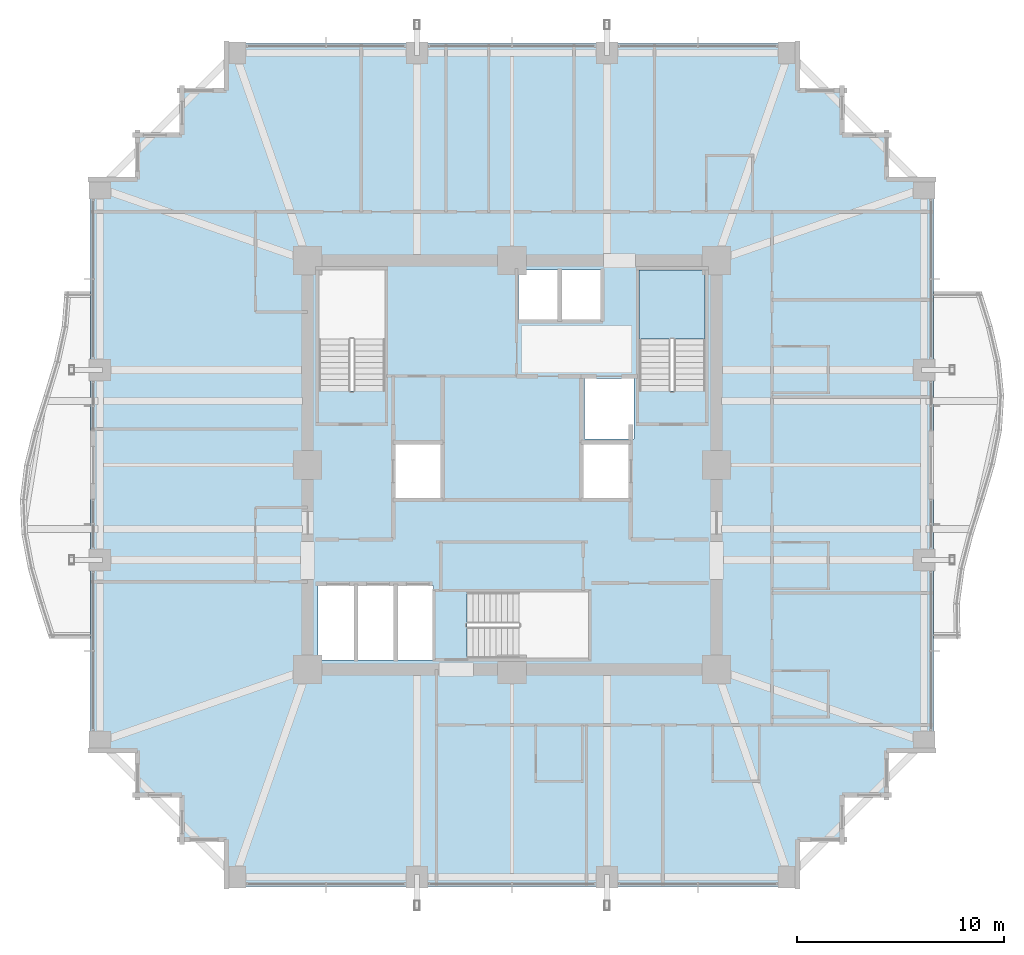
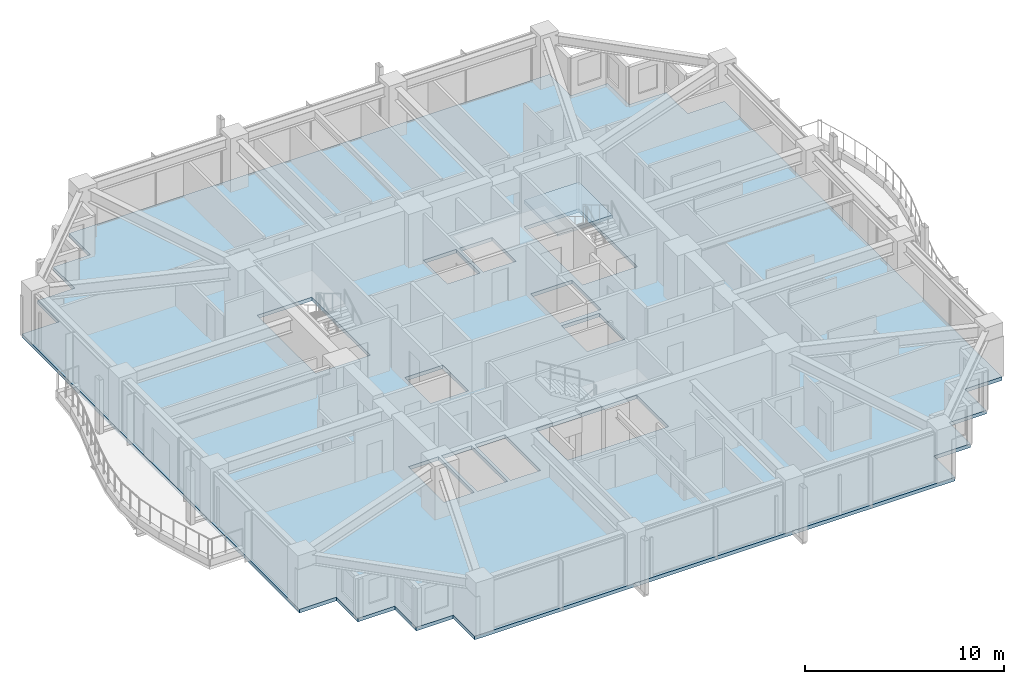
# One storey, part 27 of 37: 2 slabs, 1 element without a shape of its own.
"""IFC4 building model written with IfcOpenShell, lengths in metres."""

from ifc_helpers import new_model, si_unit, direction, frame, origin, place, context, subcontext, project, spatial, polyline, outline, extrude, material, layer, layer_set, type_object, element, aggregate, save


model = new_model("IFC4")

# Units and contexts
model_context = context("Model", 3, precision=1e-05, world=origin(), true_north=direction((0.0, 1.0)))
body_context = subcontext(model_context, "Body", "Model", "MODEL_VIEW")
ifc_project = project(units=[si_unit("LENGTHUNIT", "METRE"), si_unit("AREAUNIT", "SQUARE_METRE"), si_unit("VOLUMEUNIT", "CUBIC_METRE"), si_unit("PLANEANGLEUNIT", "RADIAN"), si_unit("MASSUNIT", "GRAM", prefix="KILO")], contexts=[model_context])

# Site, building, storey
site_placement = place(None, origin())
site = spatial("IfcSite", under=ifc_project, at=site_placement, CompositionType="ELEMENT")
building_placement = place(site_placement, origin())
building = spatial("IfcBuilding", under=site, at=building_placement, Name="Kolvaren Belvedere", CompositionType="ELEMENT")
storey_placement = place(building_placement, frame((0.0, 0.0, 75.5)))
storey = spatial("IfcBuildingStorey", under=building, at=storey_placement, Name="L21", CompositionType="ELEMENT", Elevation=75.5)

# Slab
ifc_material_1 = material(Name="Concrete C50/60", Category="concrete")
ifc_layer_1 = layer(ifc_material_1, 0.219970703125)
ifc_layer_set_1 = layer_set([ifc_layer_1], Name="Concrete C50/60")
slab_type_1 = type_object("IfcSlabType", Name="SL-FLR-220", PredefinedType="FLOOR", material=ifc_layer_set_1)
slab_1_placement = place(storey_placement, frame((0.0, 0.0, -0.219970703125)))
element("IfcSlab", 1, at=slab_1_placement, inside=storey, type_object=slab_type_1, Name="L21 Primary Structural Slab", PredefinedType="FLOOR", context=body_context, shape_type="SweptSolid", body=[
    extrude(outline(polyline([(-13.949951171875, -20.39990234375), (13.949951171875, -20.39990234375), (13.949951171875, -18.25), (16.10009765625, -18.25), (16.10009765625, -16.10009765625), (18.25, -16.10009765625), (18.25, -13.949951171875), (20.39990234375, -13.949951171875), (20.39990234375, 13.949951171875), (18.25, 13.949951171875), (18.25, 16.10009765625), (16.10009765625, 16.10009765625), (16.10009765625, 18.25), (13.949951171875, 18.25), (13.949951171875, 20.39990234375), (-13.949951171875, 20.39990234375), (-13.949951171875, 18.25), (-16.10009765625, 18.25), (-16.10009765625, 16.10009765625), (-18.25, 16.10009765625), (-18.25, 13.949951171875), (-20.39990234375, 13.949951171875), (-20.39990234375, -13.949951171875), (-18.25, -13.949951171875), (-18.25, -16.10009765625), (-16.10009765625, -16.10009765625), (-16.10009765625, -18.25), (-13.949951171875, -18.25), (-13.949951171875, -20.39990234375)]), holes=[polyline([(-9.35009765625, 3.580078125), (-6.159912109375, 3.580078125), (-6.159912109375, 9.449951171875), (-9.35009765625, 9.449951171875), (-9.35009765625, 3.580078125)]), polyline([(6.159912109375, 3.580078125), (9.35009765625, 3.580078125), (9.35009765625, 9.449951171875), (6.159912109375, 9.449951171875), (6.159912109375, 3.580078125)]), polyline([(-2.169921875, -9.35009765625), (3.699951171875, -9.35009765625), (3.699951171875, -6.159912109375), (-2.169921875, -6.159912109375), (-2.169921875, -9.35009765625)]), polyline([(-5.64990234375, -1.60009765625), (-3.449951171875, -1.60009765625), (-3.449951171875, 1.0), (-5.64990234375, 1.0), (-5.64990234375, -1.60009765625)]), polyline([(3.5, 1.25), (5.89990234375, 1.25), (5.89990234375, 4.199951171875), (3.5, 4.199951171875), (3.5, 1.25)]), polyline([(3.449951171875, -1.60009765625), (5.64990234375, -1.60009765625), (5.64990234375, 1.0), (3.449951171875, 1.0), (3.449951171875, -1.60009765625)]), polyline([(-9.39990234375, -9.449951171875), (-7.64990234375, -9.449951171875), (-7.64990234375, -5.85009765625), (-9.39990234375, -5.85009765625), (-9.39990234375, -9.449951171875)]), polyline([(-7.469970703125, -9.449951171875), (-5.719970703125, -9.449951171875), (-5.719970703125, -5.85009765625), (-7.469970703125, -5.85009765625), (-7.469970703125, -9.449951171875)]), polyline([(-5.5400390625, -9.449951171875), (-3.7900390625, -9.449951171875), (-3.7900390625, -5.85009765625), (-5.5400390625, -5.85009765625), (-5.5400390625, -9.449951171875)]), polyline([(0.320068359375, 7.050048828125), (2.219970703125, 7.050048828125), (2.219970703125, 9.449951171875), (0.320068359375, 9.449951171875), (0.320068359375, 7.050048828125)]), polyline([(2.39990234375, 7.050048828125), (4.300048828125, 7.050048828125), (4.300048828125, 9.449951171875), (2.39990234375, 9.449951171875), (2.39990234375, 7.050048828125)])]), origin(), (0.0, 0.0, 1.0), 0.219970703125),
])

# Stair, slab
ifc_material_2 = material(Name="Concrete C50/60", Category="concrete")
stair_type = type_object("IfcStairType", Name="ST-CORE-1520", PredefinedType="HALF_TURN_STAIR", material=ifc_material_2)
stair_placement = place(storey_placement, origin())
stair = element("IfcStair", 2, at=stair_placement, inside=storey, type_object=stair_type, Name="L21 Protected Exit Stair ST-2", PredefinedType="HALF_TURN_STAIR")
ifc_material_3 = material(Name="Concrete C50/60", Category="concrete")
ifc_layer_2 = layer(ifc_material_3, 0.260009765625)
ifc_layer_set_2 = layer_set([ifc_layer_2], Name="Concrete C50/60")
slab_type_2 = type_object("IfcSlabType", Name="SL-LAND-260", PredefinedType="LANDING", material=ifc_layer_set_2)
slab_2_placement = place(storey_placement, frame((0.0, 0.0, 1.449951171875)))
slab_2 = element("IfcSlab", 3, at=slab_2_placement, type_object=slab_type_2, Name="ST-2 landing 1", PredefinedType="LANDING", context=body_context, shape_type="SweptSolid", body=[
    extrude(outline(polyline([(9.35009765625, 6.090087890625), (9.35009765625, 9.449951171875), (6.159912109375, 9.449951171875), (6.159912109375, 6.090087890625), (9.35009765625, 6.090087890625)])), origin(), (0.0, 0.0, 1.0), 0.199951171875),
])
aggregate(stair, [slab_2])

save(model, "model.ifc")
